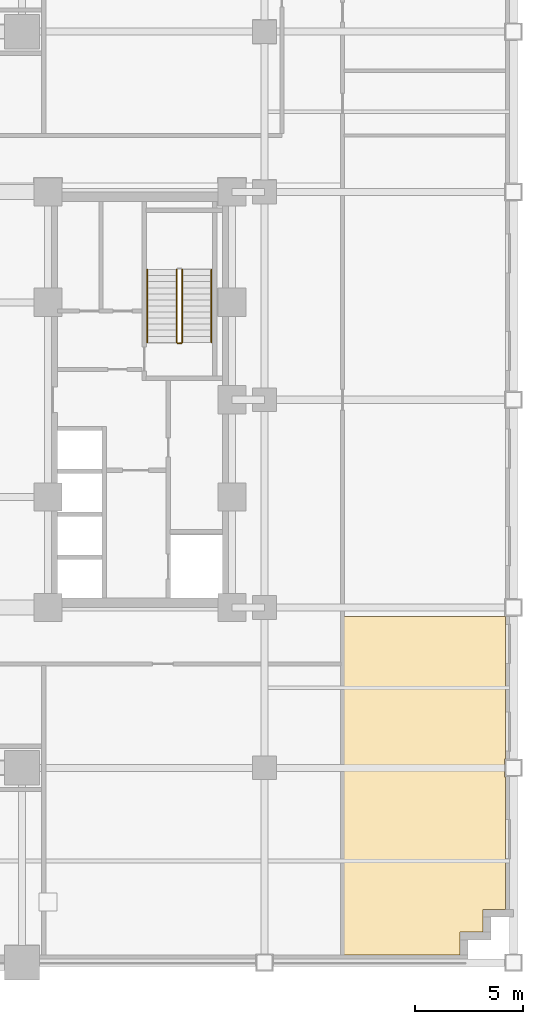
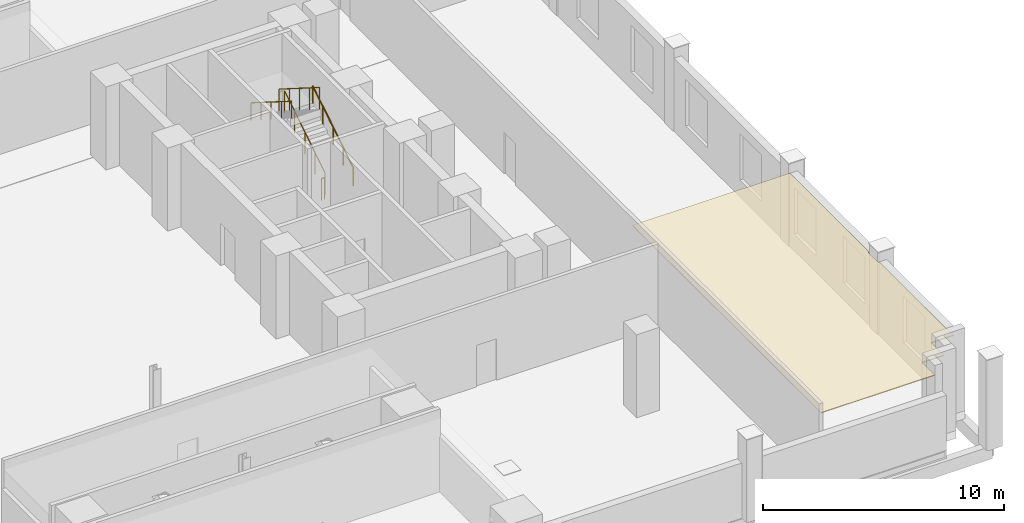
# One storey, part 14 of 17: 5 railings, 1 covering.
"""IFC4 building model written with IfcOpenShell, lengths in metres."""

from ifc_helpers import new_model, si_unit, direction, frame, origin, origin_2d, place, context, subcontext, project, spatial, polyline, circle, outline, extrude, material, layer, layer_set, type_object, element, save


model = new_model("IFC4")

# Units and contexts
model_context = context("Model", 3, precision=1e-05, world=origin(), true_north=direction((0.0, 1.0)))
body_context = subcontext(model_context, "Body", "Model", "MODEL_VIEW")
ifc_project = project(units=[si_unit("LENGTHUNIT", "METRE"), si_unit("AREAUNIT", "SQUARE_METRE"), si_unit("VOLUMEUNIT", "CUBIC_METRE"), si_unit("PLANEANGLEUNIT", "RADIAN"), si_unit("MASSUNIT", "GRAM", prefix="KILO")], contexts=[model_context])

# Site, building, storey
site_placement = place(None, origin())
site = spatial("IfcSite", under=ifc_project, at=site_placement, CompositionType="ELEMENT")
building_placement = place(site_placement, origin())
building = spatial("IfcBuilding", under=site, at=building_placement, Name="Nuvemarco Arch Tower", CompositionType="ELEMENT")
storey_placement = place(building_placement, frame((0.0, 0.0, 23.0)))
storey = spatial("IfcBuildingStorey", under=building, at=storey_placement, Name="L05", CompositionType="ELEMENT", Elevation=23.0)

# Covering
ifc_material_1 = material(Name="Mineral acoustic ceiling tile")
ifc_layer = layer(ifc_material_1, 0.0400390625, Name="COV-ACOUSTIC-CLG")
ifc_layer_set = layer_set([ifc_layer], Name="Mineral acoustic ceiling tile")
covering_type = type_object("IfcCoveringType", Name="COV-ACOUSTIC-CLG", PredefinedType="CEILING", material=ifc_layer_set)
covering_placement = place(storey_placement, frame((0.0, 0.0, 3.679931640625)))
element("IfcCovering", 1, at=covering_placement, inside=storey, type_object=covering_type, Name="L05 suspended acoustic ceiling 3", PredefinedType="CEILING", context=body_context, shape_type="SweptSolid", body=[
    extrude(outline(polyline([(30.0849609375, -10.014892578125), (30.139892578125, -10.014892578125), (30.139892578125, -16.5849609375), (30.0849609375, -16.5849609375), (30.0849609375, -17.4150390625), (30.139892578125, -17.4150390625), (30.139892578125, -23.5400390625), (29.090087890625, -23.5400390625), (29.090087890625, -24.590087890625), (28.0400390625, -24.590087890625), (28.0400390625, -25.639892578125), (22.60009765625, -25.639892578125), (22.60009765625, -12.199951171875), (22.60009765625, -10.0), (30.0849609375, -10.0), (30.0849609375, -10.014892578125)])), origin(), (0.0, 0.0, 1.0), 0.0400390625),
])

# Railings
ifc_material_2 = material(Name="Brushed stainless steel handrail", Category="steel")
railing_type_1 = type_object("IfcRailingType", Name="RL-HANDRAIL-900", PredefinedType="HANDRAIL", material=ifc_material_2)
railing_1_placement = place(storey_placement, frame((16.550048828125, 2.64990234375, 0.177001953125)))
element("IfcRailing", 2, at=railing_1_placement, inside=storey, type_object=railing_type_1, Name="L05 ST-2 stair handrail 1", PredefinedType="HANDRAIL", context=body_context, shape_type="SweptSolid", body=[
    extrude(circle(Radius=0.02392578125, at=origin_2d()), frame((0.0, 0.0, 0.8759765625), z_axis=(0.0, 0.845389635667, 0.534150132366), x_axis=(-1.0, 0.0, 0.0)), (0.0, 0.0, 1.0), 3.974609375),
    extrude(circle(Radius=0.02099609375, at=origin_2d()), origin(), (0.0, 0.0, 1.0), 0.851806640625),
    extrude(circle(Radius=0.02099609375, at=origin_2d()), frame((0.0, 0.840087890625, 0.53076171875)), (0.0, 0.0, 1.0), 0.851806640625),
    extrude(circle(Radius=0.02099609375, at=origin_2d()), frame((0.0, 1.68017578125, 1.0615234375)), (0.0, 0.0, 1.0), 0.851806640625),
    extrude(circle(Radius=0.02099609375, at=origin_2d()), frame((0.0, 2.52001953125, 1.59228515625)), (0.0, 0.0, 1.0), 0.851806640625),
    extrude(circle(Radius=0.02099609375, at=origin_2d()), frame((0.0, 3.360107421875, 2.123046875)), (0.0, 0.0, 1.0), 0.851806640625),
])
railing_2_placement = place(storey_placement, frame((13.590087890625, 6.010009765625, 2.476806640625)))
element("IfcRailing", 3, at=railing_2_placement, inside=storey, type_object=railing_type_1, Name="L05 ST-2 stair handrail 2", PredefinedType="HANDRAIL", context=body_context, shape_type="SweptSolid", body=[
    extrude(circle(Radius=0.02392578125, at=origin_2d()), frame((0.0, 0.0, 0.8759765625), z_axis=(0.0, -0.845361898145, 0.534194029511), x_axis=(1.0, 0.0, 0.0)), (0.0, 0.0, 1.0), 3.974853515625),
    extrude(circle(Radius=0.02099609375, at=origin_2d()), origin(), (0.0, 0.0, 1.0), 0.851806640625),
    extrude(circle(Radius=0.02099609375, at=origin_2d()), frame((0.0, -0.840087890625, 0.53076171875)), (0.0, 0.0, 1.0), 0.851806640625),
    extrude(circle(Radius=0.02099609375, at=origin_2d()), frame((0.0, -1.68017578125, 1.0615234375)), (0.0, 0.0, 1.0), 0.851806640625),
    extrude(circle(Radius=0.02099609375, at=origin_2d()), frame((0.0, -2.52001953125, 1.592529296875)), (0.0, 0.0, 1.0), 0.851806640625),
    extrude(circle(Radius=0.02099609375, at=origin_2d()), frame((0.0, -3.360107421875, 2.123291015625)), (0.0, 0.0, 1.0), 0.851806640625),
])
ifc_material_3 = material(Name="Painted balustrade steel S355", Category="steel")
railing_type_2 = type_object("IfcRailingType", Name="RL-STAIR-GUARD", PredefinedType="GUARDRAIL", material=ifc_material_3)
railing_3_placement = place(storey_placement, frame((15.199951171875, 2.64990234375, 0.177001953125)))
element("IfcRailing", 4, at=railing_3_placement, inside=storey, type_object=railing_type_2, Name="L05 ST-2 stair guard 1", PredefinedType="GUARDRAIL", context=body_context, shape_type="SweptSolid", body=[
    extrude(circle(Radius=0.02392578125, at=origin_2d()), frame((0.0, 0.0, 1.09619140625), z_axis=(0.0, 0.845389635667, 0.534150132366), x_axis=(-1.0, 0.0, 0.0)), (0.0, 0.0, 1.0), 3.974609375),
    extrude(circle(Radius=0.02099609375, at=origin_2d()), origin(), (0.0, 0.0, 1.0), 1.072021484375),
    extrude(circle(Radius=0.02099609375, at=origin_2d()), frame((0.0, 0.840087890625, 0.53076171875)), (0.0, 0.0, 1.0), 1.072021484375),
    extrude(circle(Radius=0.02099609375, at=origin_2d()), frame((0.0, 1.68017578125, 1.0615234375)), (0.0, 0.0, 1.0), 1.072021484375),
    extrude(circle(Radius=0.02099609375, at=origin_2d()), frame((0.0, 2.52001953125, 1.59228515625)), (0.0, 0.0, 1.0), 1.072021484375),
    extrude(circle(Radius=0.02099609375, at=origin_2d()), frame((0.0, 3.360107421875, 2.123046875)), (0.0, 0.0, 1.0), 1.072021484375),
])
railing_4_placement = place(storey_placement, frame((14.93994140625, 6.010009765625, 2.476806640625)))
element("IfcRailing", 5, at=railing_4_placement, inside=storey, type_object=railing_type_2, Name="L05 ST-2 stair guard 3", PredefinedType="GUARDRAIL", context=body_context, shape_type="SweptSolid", body=[
    extrude(circle(Radius=0.02392578125, at=origin_2d()), frame((0.0, 0.0, 1.09619140625), z_axis=(0.0, -0.845361898145, 0.534194029511), x_axis=(1.0, 0.0, 0.0)), (0.0, 0.0, 1.0), 3.974853515625),
    extrude(circle(Radius=0.02099609375, at=origin_2d()), origin(), (0.0, 0.0, 1.0), 1.072021484375),
    extrude(circle(Radius=0.02099609375, at=origin_2d()), frame((0.0, -0.840087890625, 0.53076171875)), (0.0, 0.0, 1.0), 1.072021484375),
    extrude(circle(Radius=0.02099609375, at=origin_2d()), frame((0.0, -1.68017578125, 1.0615234375)), (0.0, 0.0, 1.0), 1.072021484375),
    extrude(circle(Radius=0.02099609375, at=origin_2d()), frame((0.0, -2.52001953125, 1.592529296875)), (0.0, 0.0, 1.0), 1.072021484375),
    extrude(circle(Radius=0.02099609375, at=origin_2d()), frame((0.0, -3.360107421875, 2.123291015625)), (0.0, 0.0, 1.0), 1.072021484375),
])
railing_5_placement = place(storey_placement, frame((15.14990234375, 2.60009765625, 0.0)))
element("IfcRailing", 6, at=railing_5_placement, inside=storey, type_object=railing_type_2, Name="L05 ST-2 stair guard 4", PredefinedType="GUARDRAIL", context=body_context, shape_type="SweptSolid", body=[
    extrude(circle(Radius=0.02392578125, at=origin_2d()), frame((0.0, 0.0, 1.09619140625), z_axis=(-1.0, 0.0, 0.0), x_axis=(0.0, -1.0, 0.0)), (0.0, 0.0, 1.0), 0.159912109375),
    extrude(circle(Radius=0.02099609375, at=origin_2d()), origin(), (0.0, 0.0, 1.0), 1.072021484375),
    extrude(circle(Radius=0.02099609375, at=origin_2d()), frame((-0.159912109375, 0.0, 0.0)), (0.0, 0.0, 1.0), 1.072021484375),
])

save(model, "model.ifc")
